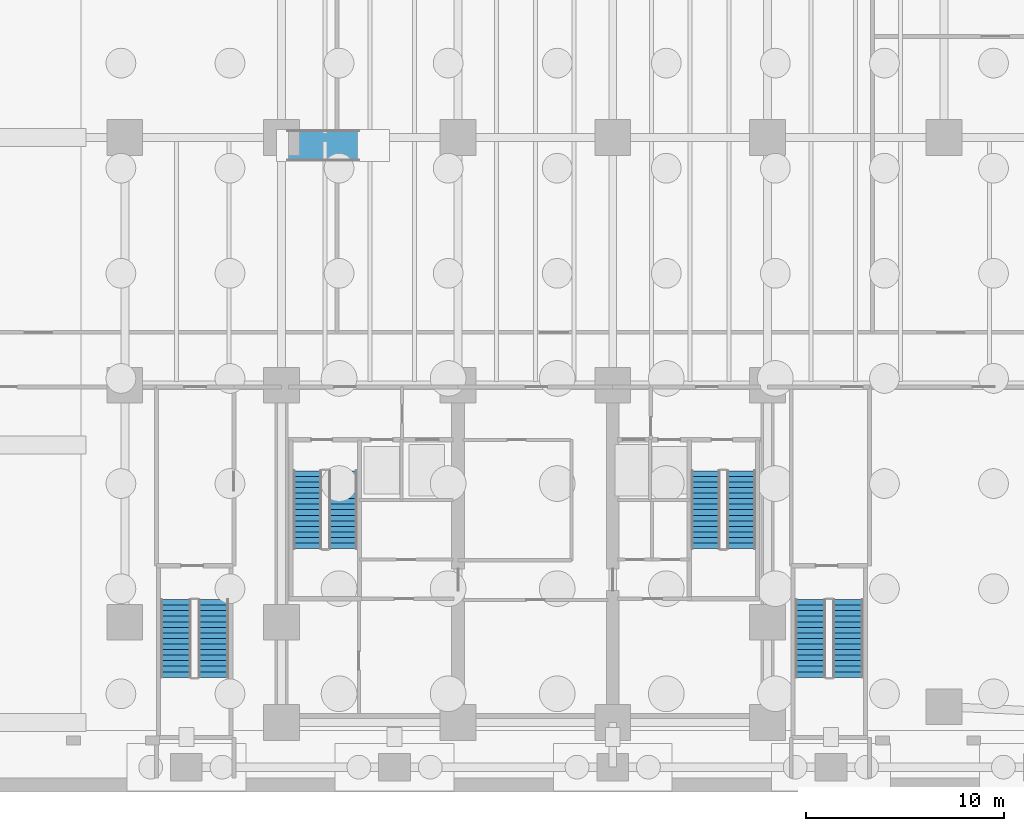
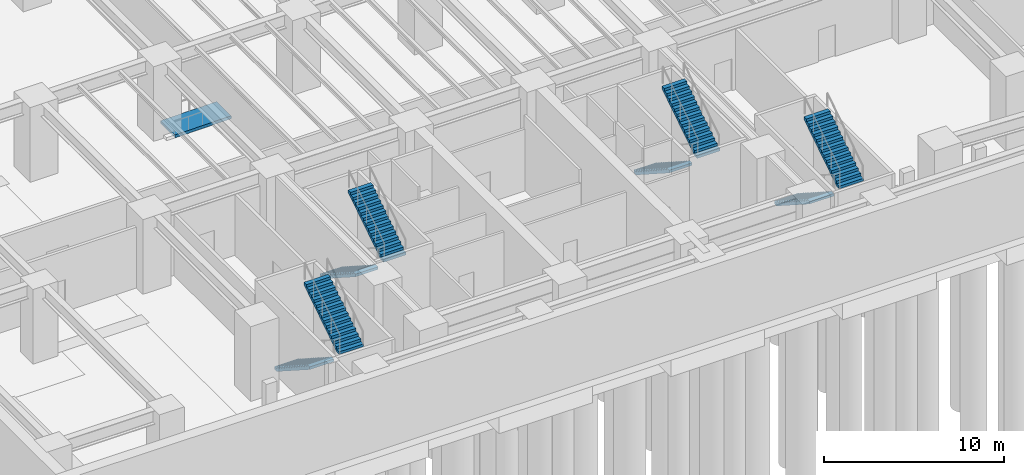
# One storey, part 10 of 12: 8 stair flights, 1 ramp flight, 5 elements without a shape of their own.
"""IFC4 building model written with IfcOpenShell, lengths in metres."""

from ifc_helpers import new_model, si_unit, direction, frame, origin, place, context, subcontext, project, spatial, polyline, outline, extrude, material, layer, layer_set, type_object, element, aggregate, save


model = new_model("IFC4")

# Units and contexts
model_context = context("Model", 3, precision=1e-05, world=origin(), true_north=direction((0.0, 1.0)))
body_context = subcontext(model_context, "Body", "Model", "MODEL_VIEW")
ifc_project = project(units=[si_unit("LENGTHUNIT", "METRE"), si_unit("AREAUNIT", "SQUARE_METRE"), si_unit("VOLUMEUNIT", "CUBIC_METRE"), si_unit("PLANEANGLEUNIT", "RADIAN"), si_unit("MASSUNIT", "GRAM", prefix="KILO")], contexts=[model_context])

# Site, building, storey
site_placement = place(None, origin())
site = spatial("IfcSite", under=ifc_project, at=site_placement, CompositionType="ELEMENT")
building_placement = place(site_placement, origin())
building = spatial("IfcBuilding", under=site, at=building_placement, Name="Qalmaran Belvedere Hotel", CompositionType="ELEMENT")
storey_placement = place(building_placement, frame((0.0, 0.0, -5.39990234375)))
storey = spatial("IfcBuildingStorey", under=building, at=storey_placement, Name="B01", CompositionType="ELEMENT", Elevation=-5.39990234375)

# Stair, stair flights
ifc_material = material(Name="Concrete C40/50", Category="concrete")
stair_type_1 = type_object("IfcStairType", Name="STR-ST-1-1450-R1800", PredefinedType="HALF_TURN_STAIR", material=ifc_material)
stair_1_placement = place(storey_placement, origin())
stair_1 = element("IfcStair", 1, at=stair_1_placement, inside=storey, type_object=stair_type_1, Name="B01 West Core Exit Stair ST-1", PredefinedType="HALF_TURN_STAIR")
ifc_layer_1 = layer(ifc_material, 0.14990234375, Name="Concrete C40/50")
ifc_layer_set_1 = layer_set([ifc_layer_1], Name="Concrete C40/50")
stair_flight_type_1 = type_object("IfcStairFlightType", Name="STF-ST-1-1450-R1800", PredefinedType="STRAIGHT", material=ifc_layer_set_1)
stair_flight_1_placement = place(storey_placement, frame((21.60498046875, 16.18994140625, 0.0), z_axis=(0.0, 0.0, 1.0), x_axis=(0.0, -1.0, 0.0)))
stair_flight_1 = element("IfcStairFlight", 2, at=stair_flight_1_placement, type_object=stair_flight_type_1, Name="ST-1 flight 1", NumberOfRisers=15, NumberOfTreads=14, PredefinedType="STRAIGHT", RiserHeight=0.18, TreadLength=0.28, context=body_context, shape_type="SweptSolid", body=[
    extrude(outline(polyline([(0.0, 0.0), (0.0, 0.179931640625), (0.280029296875, 0.179931640625), (0.280029296875, 0.360107421875), (0.56005859375, 0.360107421875), (0.56005859375, 0.5400390625), (0.840087890625, 0.5400390625), (0.840087890625, 0.719970703125), (1.1201171875, 0.719970703125), (1.1201171875, 0.89990234375), (1.39990234375, 0.89990234375), (1.39990234375, 1.080078125), (1.679931640625, 1.080078125), (1.679931640625, 1.260009765625), (1.9599609375, 1.260009765625), (1.9599609375, 1.43994140625), (2.239990234375, 1.43994140625), (2.239990234375, 1.6201171875), (2.52001953125, 1.6201171875), (2.52001953125, 1.800048828125), (2.800048828125, 1.800048828125), (2.800048828125, 1.97998046875), (3.080078125, 1.97998046875), (3.080078125, 2.159912109375), (3.360107421875, 2.159912109375), (3.360107421875, 2.340087890625), (3.639892578125, 2.340087890625), (3.639892578125, 2.52001953125), (3.919921875, 2.52001953125), (3.919921875, 2.699951171875), (3.919921875, 2.341796875), (0.277099609375, 0.0), (0.0, 0.0)])), frame((0.0, 0.72509765625, 0.0), z_axis=(0.0, -1.0, 0.0), x_axis=(1.0, 0.0, 0.0)), (0.0, 0.0, 1.0), 1.449951171875),
])
stair_flight_2_placement = place(storey_placement, frame((23.39501953125, 12.27001953125, 2.699951171875), z_axis=(0.0, 0.0, 1.0), x_axis=(0.0, 1.0, 0.0)))
stair_flight_2 = element("IfcStairFlight", 3, at=stair_flight_2_placement, type_object=stair_flight_type_1, Name="ST-1 flight 2", NumberOfRisers=15, NumberOfTreads=14, PredefinedType="STRAIGHT", RiserHeight=0.18, TreadLength=0.28, context=body_context, shape_type="SweptSolid", body=[
    extrude(outline(polyline([(0.0, 0.0), (0.0, 0.179931640625), (0.280029296875, 0.179931640625), (0.280029296875, 0.360107421875), (0.56005859375, 0.360107421875), (0.56005859375, 0.5400390625), (0.840087890625, 0.5400390625), (0.840087890625, 0.719970703125), (1.1201171875, 0.719970703125), (1.1201171875, 0.89990234375), (1.39990234375, 0.89990234375), (1.39990234375, 1.080078125), (1.679931640625, 1.080078125), (1.679931640625, 1.260009765625), (1.9599609375, 1.260009765625), (1.9599609375, 1.43994140625), (2.239990234375, 1.43994140625), (2.239990234375, 1.6201171875), (2.52001953125, 1.6201171875), (2.52001953125, 1.800048828125), (2.800048828125, 1.800048828125), (2.800048828125, 1.97998046875), (3.080078125, 1.97998046875), (3.080078125, 2.159912109375), (3.360107421875, 2.159912109375), (3.360107421875, 2.340087890625), (3.639892578125, 2.340087890625), (3.639892578125, 2.52001953125), (3.919921875, 2.52001953125), (3.919921875, 2.699951171875), (3.919921875, 2.341796875), (0.277099609375, 0.0), (0.0, 0.0)])), frame((0.0, 0.72509765625, 0.0), z_axis=(0.0, -1.0, 0.0), x_axis=(1.0, 0.0, 0.0)), (0.0, 0.0, 1.0), 1.449951171875),
])
aggregate(stair_1, [stair_flight_1, stair_flight_2])

stair_type_2 = type_object("IfcStairType", Name="STR-ST-2-1450-R1800", PredefinedType="HALF_TURN_STAIR", material=ifc_material)
stair_2_placement = place(storey_placement, origin())
stair_2 = element("IfcStair", 4, at=stair_2_placement, inside=storey, type_object=stair_type_2, Name="B01 East Core Exit Stair ST-2", PredefinedType="HALF_TURN_STAIR")
ifc_layer_2 = layer(ifc_material, 0.14990234375, Name="Concrete C40/50")
ifc_layer_set_2 = layer_set([ifc_layer_2], Name="Concrete C40/50")
stair_flight_type_2 = type_object("IfcStairFlightType", Name="STF-ST-2-1450-R1800", PredefinedType="STRAIGHT", material=ifc_layer_set_2)
stair_flight_3_placement = place(storey_placement, frame((41.68505859375, 16.18994140625, 0.0), z_axis=(0.0, 0.0, 1.0), x_axis=(0.0, -1.0, 0.0)))
stair_flight_3 = element("IfcStairFlight", 5, at=stair_flight_3_placement, type_object=stair_flight_type_2, Name="ST-2 flight 1", NumberOfRisers=15, NumberOfTreads=14, PredefinedType="STRAIGHT", RiserHeight=0.18, TreadLength=0.28, context=body_context, shape_type="SweptSolid", body=[
    extrude(outline(polyline([(0.0, 0.0), (0.0, 0.179931640625), (0.280029296875, 0.179931640625), (0.280029296875, 0.360107421875), (0.56005859375, 0.360107421875), (0.56005859375, 0.5400390625), (0.840087890625, 0.5400390625), (0.840087890625, 0.719970703125), (1.1201171875, 0.719970703125), (1.1201171875, 0.89990234375), (1.39990234375, 0.89990234375), (1.39990234375, 1.080078125), (1.679931640625, 1.080078125), (1.679931640625, 1.260009765625), (1.9599609375, 1.260009765625), (1.9599609375, 1.43994140625), (2.239990234375, 1.43994140625), (2.239990234375, 1.6201171875), (2.52001953125, 1.6201171875), (2.52001953125, 1.800048828125), (2.800048828125, 1.800048828125), (2.800048828125, 1.97998046875), (3.080078125, 1.97998046875), (3.080078125, 2.159912109375), (3.360107421875, 2.159912109375), (3.360107421875, 2.340087890625), (3.639892578125, 2.340087890625), (3.639892578125, 2.52001953125), (3.919921875, 2.52001953125), (3.919921875, 2.699951171875), (3.919921875, 2.341796875), (0.277099609375, 0.0), (0.0, 0.0)])), frame((0.0, 0.72509765625, 0.0), z_axis=(0.0, -1.0, 0.0), x_axis=(1.0, 0.0, 0.0)), (0.0, 0.0, 1.0), 1.449951171875),
])
stair_flight_4_placement = place(storey_placement, frame((43.47509765625, 12.27001953125, 2.699951171875), z_axis=(0.0, 0.0, 1.0), x_axis=(0.0, 1.0, 0.0)))
stair_flight_4 = element("IfcStairFlight", 6, at=stair_flight_4_placement, type_object=stair_flight_type_2, Name="ST-2 flight 2", NumberOfRisers=15, NumberOfTreads=14, PredefinedType="STRAIGHT", RiserHeight=0.18, TreadLength=0.28, context=body_context, shape_type="SweptSolid", body=[
    extrude(outline(polyline([(0.0, 0.0), (0.0, 0.179931640625), (0.280029296875, 0.179931640625), (0.280029296875, 0.360107421875), (0.56005859375, 0.360107421875), (0.56005859375, 0.5400390625), (0.840087890625, 0.5400390625), (0.840087890625, 0.719970703125), (1.1201171875, 0.719970703125), (1.1201171875, 0.89990234375), (1.39990234375, 0.89990234375), (1.39990234375, 1.080078125), (1.679931640625, 1.080078125), (1.679931640625, 1.260009765625), (1.9599609375, 1.260009765625), (1.9599609375, 1.43994140625), (2.239990234375, 1.43994140625), (2.239990234375, 1.6201171875), (2.52001953125, 1.6201171875), (2.52001953125, 1.800048828125), (2.800048828125, 1.800048828125), (2.800048828125, 1.97998046875), (3.080078125, 1.97998046875), (3.080078125, 2.159912109375), (3.360107421875, 2.159912109375), (3.360107421875, 2.340087890625), (3.639892578125, 2.340087890625), (3.639892578125, 2.52001953125), (3.919921875, 2.52001953125), (3.919921875, 2.699951171875), (3.919921875, 2.341796875), (0.277099609375, 0.0), (0.0, 0.0)])), frame((0.0, 0.72509765625, 0.0), z_axis=(0.0, -1.0, 0.0), x_axis=(1.0, 0.0, 0.0)), (0.0, 0.0, 1.0), 1.449951171875),
])
aggregate(stair_2, [stair_flight_3, stair_flight_4])

stair_type_3 = type_object("IfcStairType", Name="STR-ST-P1-1550-R1800", PredefinedType="HALF_TURN_STAIR", material=ifc_material)
stair_3_placement = place(storey_placement, origin())
stair_3 = element("IfcStair", 7, at=stair_3_placement, inside=storey, type_object=stair_type_3, Name="B01 West Podium Exit Stair ST-P1", PredefinedType="HALF_TURN_STAIR")
ifc_layer_3 = layer(ifc_material, 0.14990234375, Name="Concrete C40/50")
ifc_layer_set_3 = layer_set([ifc_layer_3], Name="Concrete C40/50")
stair_flight_type_3 = type_object("IfcStairFlightType", Name="STF-ST-P1-1550-R1800", PredefinedType="STRAIGHT", material=ifc_layer_set_3)
stair_flight_5_placement = place(storey_placement, frame((14.97509765625, 9.699951171875, 0.0), z_axis=(0.0, 0.0, 1.0), x_axis=(0.0, -1.0, 0.0)))
stair_flight_5 = element("IfcStairFlight", 8, at=stair_flight_5_placement, type_object=stair_flight_type_3, Name="ST-P1 flight 1", NumberOfRisers=15, NumberOfTreads=14, PredefinedType="STRAIGHT", RiserHeight=0.18, TreadLength=0.28, context=body_context, shape_type="SweptSolid", body=[
    extrude(outline(polyline([(0.0, 0.0), (0.0, 0.179931640625), (0.280029296875, 0.179931640625), (0.280029296875, 0.360107421875), (0.56005859375, 0.360107421875), (0.56005859375, 0.5400390625), (0.840087890625, 0.5400390625), (0.840087890625, 0.719970703125), (1.1201171875, 0.719970703125), (1.1201171875, 0.89990234375), (1.39990234375, 0.89990234375), (1.39990234375, 1.080078125), (1.679931640625, 1.080078125), (1.679931640625, 1.260009765625), (1.9599609375, 1.260009765625), (1.9599609375, 1.43994140625), (2.239990234375, 1.43994140625), (2.239990234375, 1.6201171875), (2.52001953125, 1.6201171875), (2.52001953125, 1.800048828125), (2.800048828125, 1.800048828125), (2.800048828125, 1.97998046875), (3.080078125, 1.97998046875), (3.080078125, 2.159912109375), (3.360107421875, 2.159912109375), (3.360107421875, 2.340087890625), (3.639892578125, 2.340087890625), (3.639892578125, 2.52001953125), (3.919921875, 2.52001953125), (3.919921875, 2.699951171875), (3.919921875, 2.341796875), (0.277099609375, 0.0), (0.0, 0.0)])), frame((0.0, 0.77490234375, 0.0), z_axis=(0.0, -1.0, 0.0), x_axis=(1.0, 0.0, 0.0)), (0.0, 0.0, 1.0), 1.550048828125),
])
stair_flight_6_placement = place(storey_placement, frame((16.864990234375, 5.780029296875, 2.699951171875), z_axis=(0.0, 0.0, 1.0), x_axis=(0.0, 1.0, 0.0)))
stair_flight_6 = element("IfcStairFlight", 9, at=stair_flight_6_placement, type_object=stair_flight_type_3, Name="ST-P1 flight 2", NumberOfRisers=15, NumberOfTreads=14, PredefinedType="STRAIGHT", RiserHeight=0.18, TreadLength=0.28, context=body_context, shape_type="SweptSolid", body=[
    extrude(outline(polyline([(0.0, 0.0), (0.0, 0.179931640625), (0.280029296875, 0.179931640625), (0.280029296875, 0.360107421875), (0.56005859375, 0.360107421875), (0.56005859375, 0.5400390625), (0.840087890625, 0.5400390625), (0.840087890625, 0.719970703125), (1.1201171875, 0.719970703125), (1.1201171875, 0.89990234375), (1.39990234375, 0.89990234375), (1.39990234375, 1.080078125), (1.679931640625, 1.080078125), (1.679931640625, 1.260009765625), (1.9599609375, 1.260009765625), (1.9599609375, 1.43994140625), (2.239990234375, 1.43994140625), (2.239990234375, 1.6201171875), (2.52001953125, 1.6201171875), (2.52001953125, 1.800048828125), (2.800048828125, 1.800048828125), (2.800048828125, 1.97998046875), (3.080078125, 1.97998046875), (3.080078125, 2.159912109375), (3.360107421875, 2.159912109375), (3.360107421875, 2.340087890625), (3.639892578125, 2.340087890625), (3.639892578125, 2.52001953125), (3.919921875, 2.52001953125), (3.919921875, 2.699951171875), (3.919921875, 2.341796875), (0.277099609375, 0.0), (0.0, 0.0)])), frame((0.0, 0.77490234375, 0.0), z_axis=(0.0, -1.0, 0.0), x_axis=(1.0, 0.0, 0.0)), (0.0, 0.0, 1.0), 1.550048828125),
])
aggregate(stair_3, [stair_flight_5, stair_flight_6])

stair_type_4 = type_object("IfcStairType", Name="STR-ST-P2-1550-R1800", PredefinedType="HALF_TURN_STAIR", material=ifc_material)
stair_4_placement = place(storey_placement, origin())
stair_4 = element("IfcStair", 10, at=stair_4_placement, inside=storey, type_object=stair_type_4, Name="B01 East Podium Exit Stair ST-P2", PredefinedType="HALF_TURN_STAIR")
ifc_layer_4 = layer(ifc_material, 0.14990234375, Name="Concrete C40/50")
ifc_layer_set_4 = layer_set([ifc_layer_4], Name="Concrete C40/50")
stair_flight_type_4 = type_object("IfcStairFlightType", Name="STF-ST-P2-1550-R1800", PredefinedType="STRAIGHT", material=ifc_layer_set_4)
stair_flight_7_placement = place(storey_placement, frame((46.97509765625, 9.699951171875, 0.0), z_axis=(0.0, 0.0, 1.0), x_axis=(0.0, -1.0, 0.0)))
stair_flight_7 = element("IfcStairFlight", 11, at=stair_flight_7_placement, type_object=stair_flight_type_4, Name="ST-P2 flight 1", NumberOfRisers=15, NumberOfTreads=14, PredefinedType="STRAIGHT", RiserHeight=0.18, TreadLength=0.28, context=body_context, shape_type="SweptSolid", body=[
    extrude(outline(polyline([(0.0, 0.0), (0.0, 0.179931640625), (0.280029296875, 0.179931640625), (0.280029296875, 0.360107421875), (0.56005859375, 0.360107421875), (0.56005859375, 0.5400390625), (0.840087890625, 0.5400390625), (0.840087890625, 0.719970703125), (1.1201171875, 0.719970703125), (1.1201171875, 0.89990234375), (1.39990234375, 0.89990234375), (1.39990234375, 1.080078125), (1.679931640625, 1.080078125), (1.679931640625, 1.260009765625), (1.9599609375, 1.260009765625), (1.9599609375, 1.43994140625), (2.239990234375, 1.43994140625), (2.239990234375, 1.6201171875), (2.52001953125, 1.6201171875), (2.52001953125, 1.800048828125), (2.800048828125, 1.800048828125), (2.800048828125, 1.97998046875), (3.080078125, 1.97998046875), (3.080078125, 2.159912109375), (3.360107421875, 2.159912109375), (3.360107421875, 2.340087890625), (3.639892578125, 2.340087890625), (3.639892578125, 2.52001953125), (3.919921875, 2.52001953125), (3.919921875, 2.699951171875), (3.919921875, 2.341796875), (0.277099609375, 0.0), (0.0, 0.0)])), frame((0.0, 0.77490234375, 0.0), z_axis=(0.0, -1.0, 0.0), x_axis=(1.0, 0.0, 0.0)), (0.0, 0.0, 1.0), 1.550048828125),
])
stair_flight_8_placement = place(storey_placement, frame((48.864990234375, 5.780029296875, 2.699951171875), z_axis=(0.0, 0.0, 1.0), x_axis=(0.0, 1.0, 0.0)))
stair_flight_8 = element("IfcStairFlight", 12, at=stair_flight_8_placement, type_object=stair_flight_type_4, Name="ST-P2 flight 2", NumberOfRisers=15, NumberOfTreads=14, PredefinedType="STRAIGHT", RiserHeight=0.18, TreadLength=0.28, context=body_context, shape_type="SweptSolid", body=[
    extrude(outline(polyline([(0.0, 0.0), (0.0, 0.179931640625), (0.280029296875, 0.179931640625), (0.280029296875, 0.360107421875), (0.56005859375, 0.360107421875), (0.56005859375, 0.5400390625), (0.840087890625, 0.5400390625), (0.840087890625, 0.719970703125), (1.1201171875, 0.719970703125), (1.1201171875, 0.89990234375), (1.39990234375, 0.89990234375), (1.39990234375, 1.080078125), (1.679931640625, 1.080078125), (1.679931640625, 1.260009765625), (1.9599609375, 1.260009765625), (1.9599609375, 1.43994140625), (2.239990234375, 1.43994140625), (2.239990234375, 1.6201171875), (2.52001953125, 1.6201171875), (2.52001953125, 1.800048828125), (2.800048828125, 1.800048828125), (2.800048828125, 1.97998046875), (3.080078125, 1.97998046875), (3.080078125, 2.159912109375), (3.360107421875, 2.159912109375), (3.360107421875, 2.340087890625), (3.639892578125, 2.340087890625), (3.639892578125, 2.52001953125), (3.919921875, 2.52001953125), (3.919921875, 2.699951171875), (3.919921875, 2.341796875), (0.277099609375, 0.0), (0.0, 0.0)])), frame((0.0, 0.77490234375, 0.0), z_axis=(0.0, -1.0, 0.0), x_axis=(1.0, 0.0, 0.0)), (0.0, 0.0, 1.0), 1.550048828125),
])
aggregate(stair_4, [stair_flight_7, stair_flight_8])

# Ramp, ramp flight
ramp_type = type_object("IfcRampType", Name="RMP-ACC-1600", PredefinedType="STRAIGHT_RUN_RAMP", material=ifc_material)
ramp_placement = place(storey_placement, origin())
ramp = element("IfcRamp", 13, at=ramp_placement, inside=storey, type_object=ramp_type, Name="B01 Accessible Threshold Ramp RMP-B01-SV", PredefinedType="STRAIGHT_RUN_RAMP")
ifc_layer_5 = layer(ifc_material, 0.199951171875, Name="Concrete C40/50")
ifc_layer_set_5 = layer_set([ifc_layer_5], Name="Concrete C40/50")
ramp_flight_type = type_object("IfcRampFlightType", Name="RMF-ACC-1600", PredefinedType="STRAIGHT", material=ifc_layer_set_5)
ramp_flight_placement = place(storey_placement, frame((20.60009765625, 31.800048828125, 0.199951171875), z_axis=(-0.011121726475, 0.0, 0.999938151687), x_axis=(0.999938151687, 0.0, 0.011121726475)))
ramp_flight = element("IfcRampFlight", 14, at=ramp_flight_placement, type_object=ramp_flight_type, Name="B01 Accessible Ramp Flight RMP-B01-SV", PredefinedType="STRAIGHT", context=body_context, shape_type="SweptSolid", body=[
    extrude(outline(polyline([(0.0, 0.0), (3.6000761742612553, 0.0), (3.6000761742612553, 1.5998535156250004), (0.0, 1.5998535156250004), (0.0, 0.0)])), origin(), (0.0, 0.0, -1.0), 0.199951171875),
])
aggregate(ramp, [ramp_flight])

save(model, "model.ifc")
